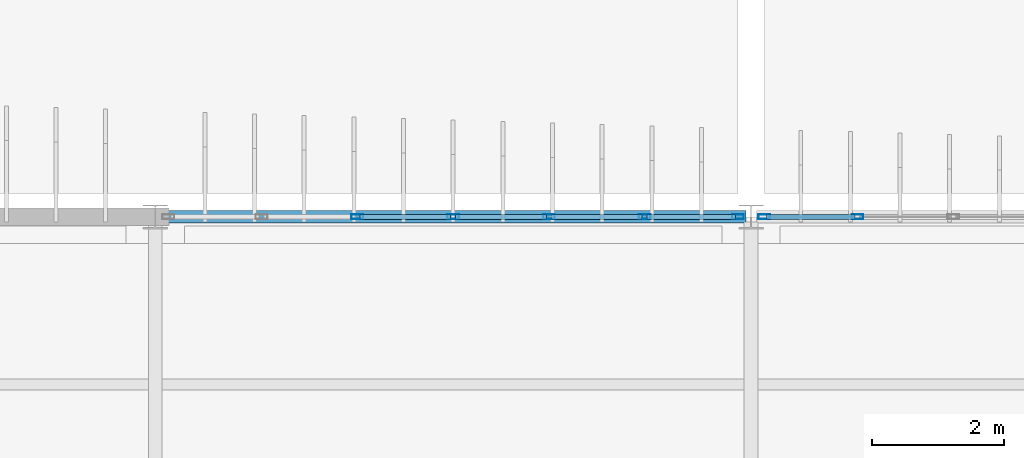
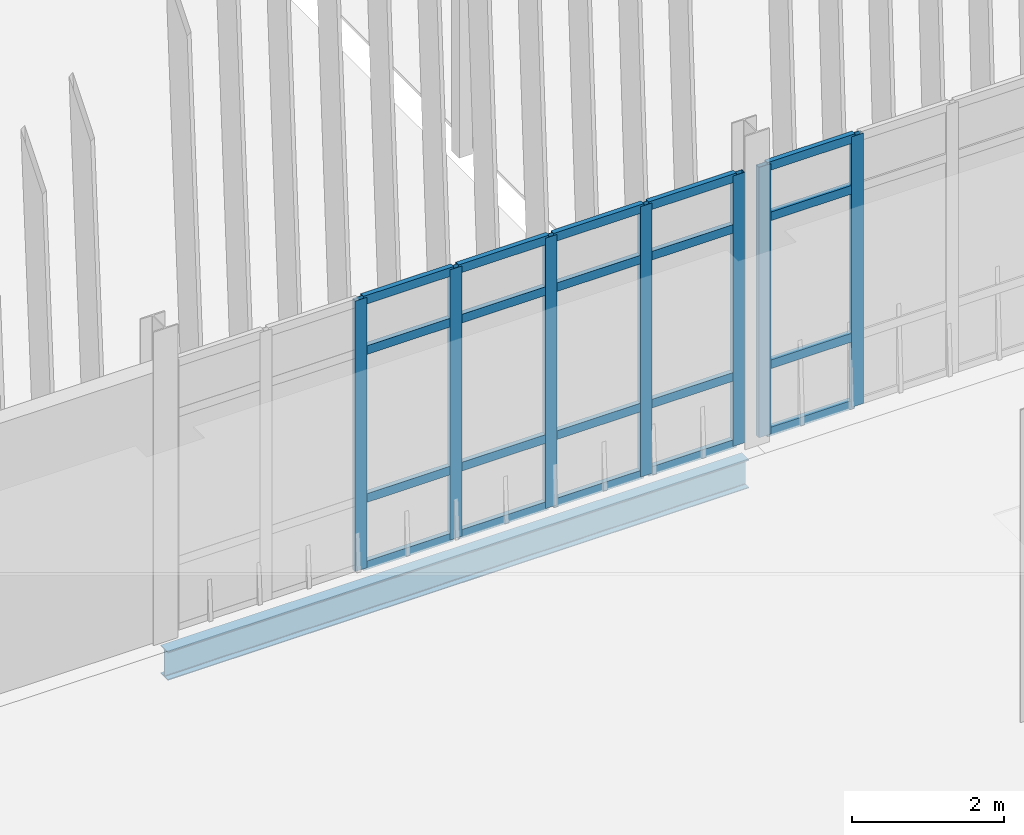
# One storey, part 52 of 161: 27 members, 1 beam, 2 elements without a shape of their own.
"""IFC4 building model written with IfcOpenShell, lengths in metres."""

import ifcopenshell
import ifcopenshell.guid

model = None  # the IFC model being written
_history = None  # IfcOwnerHistory: only IFC2X3 demands one
_inside = {}  # id of a spatial element -> (the spatial element, [elements in it])
_under = {}  # id of a project, library or spatial element -> (it, [spatial elements below it])
_declared = {}  # id of a project -> (the project, [libraries it declares])
_typed = {}  # id of a type object -> (the type object, [elements of that type])
_made_of = {}  # id of a material, layer set ... -> (it, [elements and type objects made of it])


def new_model(schema):
    """Start an empty IFC model of exactly this schema.

    Asked for "IFC4X3", IfcOpenShell would pick the latest addendum, in which some entities
    have other attributes; the version numbers below select the first issue.
    IFC2X3 requires an IfcOwnerHistory on every rooted entity: one is made here for all.
    """
    global model, _history
    if schema == "IFC4X3":
        model = ifcopenshell.file(schema_version=(4, 3, 0, 0))
    else:
        model = ifcopenshell.file(schema=schema)
    _inside.clear()
    _under.clear()
    _declared.clear()
    _typed.clear()
    _made_of.clear()
    _history = None
    if model.schema == "IFC2X3":
        org = make("IfcOrganization", Name="unknown")
        user = make(
            "IfcPersonAndOrganization",
            ThePerson=make("IfcPerson", FamilyName="unknown"),
            TheOrganization=org,
        )
        app = make(
            "IfcApplication",
            ApplicationDeveloper=org,
            Version="unknown",
            ApplicationFullName="unknown",
            ApplicationIdentifier="unknown",
        )
        _history = make(
            "IfcOwnerHistory",
            OwningUser=user,
            OwningApplication=app,
            ChangeAction="ADDED",
            CreationDate=0,
        )
    return model


def make(cls, **values):
    """One entity of the class cls with the attributes given. An attribute that is None is left unset."""
    return model.create_entity(
        cls, **{name: value for name, value in values.items() if value is not None}
    )


def rooted(cls, **values):
    """An entity with a GlobalId (a new one), such as an element, a storey or a relation."""
    return make(cls, GlobalId=ifcopenshell.guid.new(), OwnerHistory=_history, **values)


def si_unit(unit_type, name, prefix=None):
    """IfcSIUnit, for example si_unit("LENGTHUNIT", "METRE", prefix="MILLI")."""
    return make("IfcSIUnit", UnitType=unit_type, Prefix=prefix, Name=name)


def assignment(units):
    """IfcUnitAssignment: the units of a project."""
    return None if units is None else make("IfcUnitAssignment", Units=units)


def point(xyz):
    """IfcCartesianPoint."""
    return None if xyz is None else make("IfcCartesianPoint", Coordinates=xyz)


def direction(xyz):
    """IfcDirection."""
    return None if xyz is None else make("IfcDirection", DirectionRatios=xyz)


def frame(location, z_axis=None, x_axis=None):
    """IfcAxis2Placement3D, a coordinate frame: its origin and axes. An axis left out is left unset."""
    return make(
        "IfcAxis2Placement3D",
        Location=point(location),
        Axis=direction(z_axis),
        RefDirection=direction(x_axis),
    )


def frame_2d(location, x_axis=None):
    """IfcAxis2Placement2D, a coordinate frame in the plane: its origin and x axis."""
    return make(
        "IfcAxis2Placement2D", Location=point(location), RefDirection=direction(x_axis)
    )


def origin():
    """The frame at (0, 0, 0) with its axes left unset."""
    return frame((0.0, 0.0, 0.0))


def origin_2d():
    """The frame at (0, 0) in the plane with its x axis left unset."""
    return frame_2d((0.0, 0.0))


def place(relative_to, where):
    """IfcLocalPlacement: puts the frame where relative to a parent placement (None: the world)."""
    return make(
        "IfcLocalPlacement", PlacementRelTo=relative_to, RelativePlacement=where
    )


def context(
    kind, dimensions, precision=None, world=None, true_north=None, identifier=None
):
    """IfcGeometricRepresentationContext, for example the 3D "Model" context."""
    return make(
        "IfcGeometricRepresentationContext",
        ContextIdentifier=identifier,
        ContextType=kind,
        CoordinateSpaceDimension=dimensions,
        Precision=precision,
        WorldCoordinateSystem=world,
        TrueNorth=true_north,
    )


def subcontext(parent, identifier, kind, view, scale=None):
    """IfcGeometricRepresentationSubContext, for example "Body" below "Model"."""
    return make(
        "IfcGeometricRepresentationSubContext",
        ContextIdentifier=identifier,
        ContextType=kind,
        ParentContext=parent,
        TargetScale=scale,
        TargetView=view,
    )


def project(units=None, contexts=None):
    """IfcProject with its units and contexts."""
    return rooted(
        "IfcProject",
        Name="project",
        RepresentationContexts=contexts,
        UnitsInContext=assignment(units),
    )


def spatial(cls, under=None, at=None, **own):
    """A site, building, storey or space (cls), placed at a placement, below another one or the project."""
    s = rooted(cls, ObjectPlacement=at, **own)
    if under is not None:
        _under.setdefault(under.id(), (under, []))[1].append(s)
    return s


def profile(cls, at=None, kind="AREA", **sizes):
    """A parametric profile (cls). Its sizes go by their IFC names, for example OverallWidth=200.0."""
    return make(cls, ProfileType=kind, Position=at, **sizes)


def hollow_rectangle(**sizes):
    """IfcRectangleHollowProfileDef."""
    return profile("IfcRectangleHollowProfileDef", **sizes)


def i_section(**sizes):
    """IfcIShapeProfileDef."""
    return profile("IfcIShapeProfileDef", **sizes)


def extrude(swept, where, along, depth):
    """IfcExtrudedAreaSolid: the profile swept, set in the frame where, extruded along a direction by depth."""
    return make(
        "IfcExtrudedAreaSolid",
        SweptArea=swept,
        Position=where,
        ExtrudedDirection=direction(along),
        Depth=depth,
    )


def shape(context_of_items, identifier, shape_type, items):
    """IfcShapeRepresentation: the items that make up one representation, for example the "Body"."""
    return make(
        "IfcShapeRepresentation",
        ContextOfItems=context_of_items,
        RepresentationIdentifier=identifier,
        RepresentationType=shape_type,
        Items=items,
    )


def material(Name=None, Category=None):
    """IfcMaterial."""
    return make("IfcMaterial", Name=Name, Category=Category)


def material_profile(
    of_material, cross_section, Name=None, Category=None, Priority=None
):
    """IfcMaterialProfile: a cross section and its material."""
    return make(
        "IfcMaterialProfile",
        Name=Name,
        Material=of_material,
        Profile=cross_section,
        Priority=Priority,
        Category=Category,
    )


def profile_set(profiles, Name=None, composite=None):
    """IfcMaterialProfileSet."""
    return make(
        "IfcMaterialProfileSet",
        Name=Name,
        MaterialProfiles=profiles,
        CompositeProfile=composite,
    )


def made_of(thing, what):
    """Note that an element or type object is made of a material, layer set ...; save() writes the relation."""
    if what is not None:
        _made_of.setdefault(what.id(), (what, []))[1].append(thing)
    return thing


def type_object(cls, material=None, **own):
    """A type object (cls), such as IfcWallType, which elements share."""
    return made_of(rooted(cls, **own), material)


def element(
    cls,
    number,
    at=None,
    inside=None,
    cuts=None,
    type_object=None,
    material=None,
    context=None,
    identifier="Body",
    shape_type=None,
    held_by="IfcProductDefinitionShape",
    body=None,
    shapes=None,
    **own,
):
    """One element of the class cls, such as IfcWall. Its Tag is "e" and its number.

    at: its placement. inside: the storey or other place that contains it. cuts: it is an
    opening in that element (IfcRelVoidsElement). A single representation is given by context,
    identifier, shape_type and body (its items); several are given by shapes. held_by: the class
    of the entity that holds the representations. save() writes the other relations.
    """
    e = rooted(cls, Tag="e%d" % number, ObjectPlacement=at, **own)
    if body is not None:
        shapes = [shape(context, identifier, shape_type, body)]
    if shapes is not None:
        e.Representation = make(held_by, Representations=shapes)
    if inside is not None:
        _inside.setdefault(inside.id(), (inside, []))[1].append(e)
    if cuts is not None:
        rooted(
            "IfcRelVoidsElement", RelatingBuildingElement=cuts, RelatedOpeningElement=e
        )
    if type_object is not None:
        _typed.setdefault(type_object.id(), (type_object, []))[1].append(e)
    return made_of(e, material)


def aggregate(whole, parts):
    """IfcRelAggregates: a whole, such as a stair, and the parts it consists of."""
    return rooted("IfcRelAggregates", RelatingObject=whole, RelatedObjects=parts)


def save(model, path):
    """Write the relations noted so far, then the file.

    IfcRelAggregates (storeys below a building ...), IfcRelContainedInSpatialStructure (elements
    in a storey), IfcRelDefinesByType, IfcRelAssociatesMaterial and IfcRelDeclares: one each for
    every whole, place, type object, material and project.
    """
    for whole, parts in _under.values():
        aggregate(whole, parts)
    for where, things in _inside.values():
        rooted(
            "IfcRelContainedInSpatialStructure",
            RelatedElements=things,
            RelatingStructure=where,
        )
    for kind, things in _typed.values():
        rooted("IfcRelDefinesByType", RelatedObjects=things, RelatingType=kind)
    for what, things in _made_of.values():
        rooted("IfcRelAssociatesMaterial", RelatedObjects=things, RelatingMaterial=what)
    for by, libraries in _declared.values():
        rooted("IfcRelDeclares", RelatingContext=by, RelatedDefinitions=libraries)
    model.write(path)


model = new_model("IFC4")

# Units and contexts
model_context = context("Model", 3, precision=1e-05, world=origin(), true_north=direction((0.0, 1.0)))
body_context = subcontext(model_context, "Body", "Model", "MODEL_VIEW")
ifc_project = project(units=[si_unit("LENGTHUNIT", "METRE"), si_unit("AREAUNIT", "SQUARE_METRE"), si_unit("VOLUMEUNIT", "CUBIC_METRE"), si_unit("PLANEANGLEUNIT", "RADIAN"), si_unit("MASSUNIT", "GRAM", prefix="KILO")], contexts=[model_context])

# Site, building, storey
site_placement = place(None, origin())
site = spatial("IfcSite", under=ifc_project, at=site_placement, CompositionType="ELEMENT")
building_placement = place(site_placement, origin())
building = spatial("IfcBuilding", under=site, at=building_placement, Name="Caisbarro Railhouse Central Library", CompositionType="ELEMENT")
storey_placement = place(building_placement, origin())
storey = spatial("IfcBuildingStorey", under=building, at=storey_placement, Name="L00", CompositionType="ELEMENT", Elevation=0.0)

# Beam
ifc_material_1 = material(Name="Steel ASTM A572 Grade 50", Category="steel")
ifc_material_profile_1 = material_profile(ifc_material_1, i_section(OverallWidth=0.18994140625, OverallDepth=0.45703125, WebThickness=0.009033203125, FlangeThickness=0.014404296875, FilletRadius=0.01806640625, at=origin_2d()), Name="W460X74.0")
ifc_profile_set_1 = profile_set([ifc_material_profile_1], Name="Steel ASTM A572 Grade 50")
beam_type = type_object("IfcBeamType", Name="BM-SP01", PredefinedType="SPANDREL", material=ifc_profile_set_1)
beam_placement = place(storey_placement, frame((45.080078125, 60.800048828125, -0.478515625), z_axis=(1.0, 0.0, 0.0), x_axis=(0.0, 1.0, 0.0)))
element("IfcBeam", 1, at=beam_placement, inside=storey, type_object=beam_type, Name="SP01 beam L00 #280", PredefinedType="SPANDREL", context=body_context, shape_type="SweptSolid", body=[
    extrude(i_section(OverallWidth=0.18994140625, OverallDepth=0.45703125, WebThickness=0.009033203125, FlangeThickness=0.014404296875, FilletRadius=0.01806640625, at=origin_2d()), origin(), (0.0, 0.0, 1.0), 8.83984375),
])

# Curtain wall, members
ifc_material_2 = material(Name="Anodised architectural aluminium", Category="aluminium")
curtain_wall_type = type_object("IfcCurtainWallType", Name="CW-CW01", PredefinedType="NOTDEFINED", material=ifc_material_2)
curtain_wall_1_placement = place(storey_placement, origin())
curtain_wall_1 = element("IfcCurtainWall", 2, at=curtain_wall_1_placement, inside=storey, type_object=curtain_wall_type, Name="CW01 curtain wall L00 #14", PredefinedType="NOTDEFINED")
ifc_material_profile_2 = material_profile(ifc_material_2, hollow_rectangle(XDim=0.074951171875, YDim=0.179931640625, WallThickness=0.00439453125, at=origin_2d()), Name="ALU-MUL-75X180")
ifc_profile_set_2 = profile_set([ifc_material_profile_2], Name="Anodised architectural aluminium")
member_type_1 = type_object("IfcMemberType", Name="CWM-M01", PredefinedType="MULLION", material=ifc_profile_set_2)
member_1_placement = place(storey_placement, frame((48.05322265625, 60.800048828125, 0.0), z_axis=(0.0, 0.0, 1.0), x_axis=(0.0, 1.0, 0.0)))
member_1 = element("IfcMember", 3, at=member_1_placement, type_object=member_type_1, Name="CW01 mullion 3", PredefinedType="MULLION", context=body_context, shape_type="SweptSolid", body=[
    extrude(hollow_rectangle(XDim=0.074951171875, YDim=0.179931640625, WallThickness=0.00439453125, at=origin_2d()), origin(), (0.0, 0.0, 1.0), 4.35009765625),
])
member_2_placement = place(storey_placement, frame((49.5, 60.800048828125, 0.0), z_axis=(0.0, 0.0, 1.0), x_axis=(0.0, 1.0, 0.0)))
member_2 = element("IfcMember", 4, at=member_2_placement, type_object=member_type_1, Name="CW01 mullion 4", PredefinedType="MULLION", context=body_context, shape_type="SweptSolid", body=[
    extrude(hollow_rectangle(XDim=0.074951171875, YDim=0.179931640625, WallThickness=0.00439453125, at=origin_2d()), origin(), (0.0, 0.0, 1.0), 4.35009765625),
])
member_3_placement = place(storey_placement, frame((50.94677734375, 60.800048828125, 0.0), z_axis=(0.0, 0.0, 1.0), x_axis=(0.0, 1.0, 0.0)))
member_3 = element("IfcMember", 5, at=member_3_placement, type_object=member_type_1, Name="CW01 mullion 5", PredefinedType="MULLION", context=body_context, shape_type="SweptSolid", body=[
    extrude(hollow_rectangle(XDim=0.074951171875, YDim=0.179931640625, WallThickness=0.00439453125, at=origin_2d()), origin(), (0.0, 0.0, 1.0), 4.35009765625),
])
member_4_placement = place(storey_placement, frame((52.393310546875, 60.800048828125, 0.0), z_axis=(0.0, 0.0, 1.0), x_axis=(0.0, 1.0, 0.0)))
member_4 = element("IfcMember", 6, at=member_4_placement, type_object=member_type_1, Name="CW01 mullion 6", PredefinedType="MULLION", context=body_context, shape_type="SweptSolid", body=[
    extrude(hollow_rectangle(XDim=0.074951171875, YDim=0.179931640625, WallThickness=0.00439453125, at=origin_2d()), origin(), (0.0, 0.0, 1.0), 4.35009765625),
])
member_5_placement = place(storey_placement, frame((53.802490234375, 60.800048828125, 0.0), z_axis=(0.0, 0.0, 1.0), x_axis=(0.0, 1.0, 0.0)))
member_5 = element("IfcMember", 7, at=member_5_placement, type_object=member_type_1, Name="CW01 mullion 7", PredefinedType="MULLION", context=body_context, shape_type="SweptSolid", body=[
    extrude(hollow_rectangle(XDim=0.074951171875, YDim=0.179931640625, WallThickness=0.00439453125, at=origin_2d()), origin(), (0.0, 0.0, 1.0), 4.35009765625),
])

curtain_wall_2_placement = place(storey_placement, origin())
curtain_wall_2 = element("IfcCurtainWall", 8, at=curtain_wall_2_placement, inside=storey, type_object=curtain_wall_type, Name="CW01 curtain wall L00 #17", PredefinedType="NOTDEFINED")
member_6_placement = place(storey_placement, frame((54.197509765625, 60.800048828125, 0.0), z_axis=(0.0, 0.0, 1.0), x_axis=(0.0, 1.0, 0.0)))
member_6 = element("IfcMember", 9, at=member_6_placement, type_object=member_type_1, Name="CW01 mullion 1", PredefinedType="MULLION", context=body_context, shape_type="SweptSolid", body=[
    extrude(hollow_rectangle(XDim=0.074951171875, YDim=0.179931640625, WallThickness=0.00439453125, at=origin_2d()), origin(), (0.0, 0.0, 1.0), 4.35009765625),
])
member_7_placement = place(storey_placement, frame((55.606689453125, 60.800048828125, 0.0), z_axis=(0.0, 0.0, 1.0), x_axis=(0.0, 1.0, 0.0)))
member_7 = element("IfcMember", 10, at=member_7_placement, type_object=member_type_1, Name="CW01 mullion 2", PredefinedType="MULLION", context=body_context, shape_type="SweptSolid", body=[
    extrude(hollow_rectangle(XDim=0.074951171875, YDim=0.179931640625, WallThickness=0.00439453125, at=origin_2d()), origin(), (0.0, 0.0, 1.0), 4.35009765625),
])

# Member
ifc_material_profile_3 = material_profile(ifc_material_2, hollow_rectangle(XDim=0.074951171875, YDim=0.139892578125, WallThickness=0.00390625, at=origin_2d()), Name="ALU-TRN-75X140")
ifc_profile_set_3 = profile_set([ifc_material_profile_3], Name="Anodised architectural aluminium")
member_type_2 = type_object("IfcMemberType", Name="CWT-T01", PredefinedType="USERDEFINED", material=ifc_profile_set_3)
member_8_placement = place(storey_placement, frame((48.0908203125, 60.800048828125, 0.03759765625), z_axis=(1.0, 0.0, 0.0), x_axis=(0.0, 1.0, 0.0)))
member_8 = element("IfcMember", 11, at=member_8_placement, type_object=member_type_2, Name="CW01 transom 3.1", ObjectType="TRANSOM", PredefinedType="USERDEFINED", context=body_context, shape_type="SweptSolid", body=[
    extrude(hollow_rectangle(XDim=0.074951171875, YDim=0.139892578125, WallThickness=0.00390625, at=origin_2d()), origin(), (0.0, 0.0, 1.0), 1.37158203125),
])

member_9_placement = place(storey_placement, frame((48.0908203125, 60.800048828125, 1.1201171875), z_axis=(1.0, 0.0, 0.0), x_axis=(0.0, 1.0, 0.0)))
member_9 = element("IfcMember", 12, at=member_9_placement, type_object=member_type_2, Name="CW01 transom 3.2", ObjectType="TRANSOM", PredefinedType="USERDEFINED", context=body_context, shape_type="SweptSolid", body=[
    extrude(hollow_rectangle(XDim=0.074951171875, YDim=0.139892578125, WallThickness=0.00390625, at=origin_2d()), origin(), (0.0, 0.0, 1.0), 1.37158203125),
])

member_10_placement = place(storey_placement, frame((48.0908203125, 60.800048828125, 3.5), z_axis=(1.0, 0.0, 0.0), x_axis=(0.0, 1.0, 0.0)))
member_10 = element("IfcMember", 13, at=member_10_placement, type_object=member_type_2, Name="CW01 transom 3.3", ObjectType="TRANSOM", PredefinedType="USERDEFINED", context=body_context, shape_type="SweptSolid", body=[
    extrude(hollow_rectangle(XDim=0.074951171875, YDim=0.139892578125, WallThickness=0.00390625, at=origin_2d()), origin(), (0.0, 0.0, 1.0), 1.37158203125),
])

member_11_placement = place(storey_placement, frame((48.0908203125, 60.800048828125, 4.3125), z_axis=(1.0, 0.0, 0.0), x_axis=(0.0, 1.0, 0.0)))
member_11 = element("IfcMember", 14, at=member_11_placement, type_object=member_type_2, Name="CW01 transom 3.4", ObjectType="TRANSOM", PredefinedType="USERDEFINED", context=body_context, shape_type="SweptSolid", body=[
    extrude(hollow_rectangle(XDim=0.074951171875, YDim=0.139892578125, WallThickness=0.00390625, at=origin_2d()), origin(), (0.0, 0.0, 1.0), 1.37158203125),
])

member_12_placement = place(storey_placement, frame((49.53759765625, 60.800048828125, 0.03759765625), z_axis=(1.0, 0.0, 0.0), x_axis=(0.0, 1.0, 0.0)))
member_12 = element("IfcMember", 15, at=member_12_placement, type_object=member_type_2, Name="CW01 transom 4.1", ObjectType="TRANSOM", PredefinedType="USERDEFINED", context=body_context, shape_type="SweptSolid", body=[
    extrude(hollow_rectangle(XDim=0.074951171875, YDim=0.139892578125, WallThickness=0.00390625, at=origin_2d()), origin(), (0.0, 0.0, 1.0), 1.37158203125),
])

member_13_placement = place(storey_placement, frame((49.53759765625, 60.800048828125, 1.1201171875), z_axis=(1.0, 0.0, 0.0), x_axis=(0.0, 1.0, 0.0)))
member_13 = element("IfcMember", 16, at=member_13_placement, type_object=member_type_2, Name="CW01 transom 4.2", ObjectType="TRANSOM", PredefinedType="USERDEFINED", context=body_context, shape_type="SweptSolid", body=[
    extrude(hollow_rectangle(XDim=0.074951171875, YDim=0.139892578125, WallThickness=0.00390625, at=origin_2d()), origin(), (0.0, 0.0, 1.0), 1.37158203125),
])

member_14_placement = place(storey_placement, frame((49.53759765625, 60.800048828125, 3.5), z_axis=(1.0, 0.0, 0.0), x_axis=(0.0, 1.0, 0.0)))
member_14 = element("IfcMember", 17, at=member_14_placement, type_object=member_type_2, Name="CW01 transom 4.3", ObjectType="TRANSOM", PredefinedType="USERDEFINED", context=body_context, shape_type="SweptSolid", body=[
    extrude(hollow_rectangle(XDim=0.074951171875, YDim=0.139892578125, WallThickness=0.00390625, at=origin_2d()), origin(), (0.0, 0.0, 1.0), 1.37158203125),
])

member_15_placement = place(storey_placement, frame((49.53759765625, 60.800048828125, 4.3125), z_axis=(1.0, 0.0, 0.0), x_axis=(0.0, 1.0, 0.0)))
member_15 = element("IfcMember", 18, at=member_15_placement, type_object=member_type_2, Name="CW01 transom 4.4", ObjectType="TRANSOM", PredefinedType="USERDEFINED", context=body_context, shape_type="SweptSolid", body=[
    extrude(hollow_rectangle(XDim=0.074951171875, YDim=0.139892578125, WallThickness=0.00390625, at=origin_2d()), origin(), (0.0, 0.0, 1.0), 1.37158203125),
])

member_16_placement = place(storey_placement, frame((50.984130859375, 60.800048828125, 0.03759765625), z_axis=(1.0, 0.0, 0.0), x_axis=(0.0, 1.0, 0.0)))
member_16 = element("IfcMember", 19, at=member_16_placement, type_object=member_type_2, Name="CW01 transom 5.1", ObjectType="TRANSOM", PredefinedType="USERDEFINED", context=body_context, shape_type="SweptSolid", body=[
    extrude(hollow_rectangle(XDim=0.074951171875, YDim=0.139892578125, WallThickness=0.00390625, at=origin_2d()), origin(), (0.0, 0.0, 1.0), 1.37158203125),
])

member_17_placement = place(storey_placement, frame((50.984130859375, 60.800048828125, 1.1201171875), z_axis=(1.0, 0.0, 0.0), x_axis=(0.0, 1.0, 0.0)))
member_17 = element("IfcMember", 20, at=member_17_placement, type_object=member_type_2, Name="CW01 transom 5.2", ObjectType="TRANSOM", PredefinedType="USERDEFINED", context=body_context, shape_type="SweptSolid", body=[
    extrude(hollow_rectangle(XDim=0.074951171875, YDim=0.139892578125, WallThickness=0.00390625, at=origin_2d()), origin(), (0.0, 0.0, 1.0), 1.37158203125),
])

member_18_placement = place(storey_placement, frame((50.984130859375, 60.800048828125, 3.5), z_axis=(1.0, 0.0, 0.0), x_axis=(0.0, 1.0, 0.0)))
member_18 = element("IfcMember", 21, at=member_18_placement, type_object=member_type_2, Name="CW01 transom 5.3", ObjectType="TRANSOM", PredefinedType="USERDEFINED", context=body_context, shape_type="SweptSolid", body=[
    extrude(hollow_rectangle(XDim=0.074951171875, YDim=0.139892578125, WallThickness=0.00390625, at=origin_2d()), origin(), (0.0, 0.0, 1.0), 1.37158203125),
])

member_19_placement = place(storey_placement, frame((50.984130859375, 60.800048828125, 4.3125), z_axis=(1.0, 0.0, 0.0), x_axis=(0.0, 1.0, 0.0)))
member_19 = element("IfcMember", 22, at=member_19_placement, type_object=member_type_2, Name="CW01 transom 5.4", ObjectType="TRANSOM", PredefinedType="USERDEFINED", context=body_context, shape_type="SweptSolid", body=[
    extrude(hollow_rectangle(XDim=0.074951171875, YDim=0.139892578125, WallThickness=0.00390625, at=origin_2d()), origin(), (0.0, 0.0, 1.0), 1.37158203125),
])

member_20_placement = place(storey_placement, frame((52.430908203125, 60.800048828125, 0.03759765625), z_axis=(1.0, 0.0, 0.0), x_axis=(0.0, 1.0, 0.0)))
member_20 = element("IfcMember", 23, at=member_20_placement, type_object=member_type_2, Name="CW01 transom 6.1", ObjectType="TRANSOM", PredefinedType="USERDEFINED", context=body_context, shape_type="SweptSolid", body=[
    extrude(hollow_rectangle(XDim=0.074951171875, YDim=0.139892578125, WallThickness=0.00390625, at=origin_2d()), origin(), (0.0, 0.0, 1.0), 1.333984375),
])

member_21_placement = place(storey_placement, frame((52.430908203125, 60.800048828125, 1.1201171875), z_axis=(1.0, 0.0, 0.0), x_axis=(0.0, 1.0, 0.0)))
member_21 = element("IfcMember", 24, at=member_21_placement, type_object=member_type_2, Name="CW01 transom 6.2", ObjectType="TRANSOM", PredefinedType="USERDEFINED", context=body_context, shape_type="SweptSolid", body=[
    extrude(hollow_rectangle(XDim=0.074951171875, YDim=0.139892578125, WallThickness=0.00390625, at=origin_2d()), origin(), (0.0, 0.0, 1.0), 1.333984375),
])

member_22_placement = place(storey_placement, frame((52.430908203125, 60.800048828125, 3.5), z_axis=(1.0, 0.0, 0.0), x_axis=(0.0, 1.0, 0.0)))
member_22 = element("IfcMember", 25, at=member_22_placement, type_object=member_type_2, Name="CW01 transom 6.3", ObjectType="TRANSOM", PredefinedType="USERDEFINED", context=body_context, shape_type="SweptSolid", body=[
    extrude(hollow_rectangle(XDim=0.074951171875, YDim=0.139892578125, WallThickness=0.00390625, at=origin_2d()), origin(), (0.0, 0.0, 1.0), 1.333984375),
])

member_23_placement = place(storey_placement, frame((52.430908203125, 60.800048828125, 4.3125), z_axis=(1.0, 0.0, 0.0), x_axis=(0.0, 1.0, 0.0)))
member_23 = element("IfcMember", 26, at=member_23_placement, type_object=member_type_2, Name="CW01 transom 6.4", ObjectType="TRANSOM", PredefinedType="USERDEFINED", context=body_context, shape_type="SweptSolid", body=[
    extrude(hollow_rectangle(XDim=0.074951171875, YDim=0.139892578125, WallThickness=0.00390625, at=origin_2d()), origin(), (0.0, 0.0, 1.0), 1.333984375),
])

aggregate(curtain_wall_1, [member_1, member_2, member_3, member_4, member_5, member_8, member_9, member_10, member_11, member_12, member_13, member_14, member_15, member_16, member_17, member_18, member_19, member_20, member_21, member_22, member_23])

member_24_placement = place(storey_placement, frame((54.235107421875, 60.800048828125, 0.03759765625), z_axis=(1.0, 0.0, 0.0), x_axis=(0.0, 1.0, 0.0)))
member_24 = element("IfcMember", 27, at=member_24_placement, type_object=member_type_2, Name="CW01 transom 1.1", ObjectType="TRANSOM", PredefinedType="USERDEFINED", context=body_context, shape_type="SweptSolid", body=[
    extrude(hollow_rectangle(XDim=0.074951171875, YDim=0.139892578125, WallThickness=0.00390625, at=origin_2d()), origin(), (0.0, 0.0, 1.0), 1.333984375),
])

member_25_placement = place(storey_placement, frame((54.235107421875, 60.800048828125, 1.1201171875), z_axis=(1.0, 0.0, 0.0), x_axis=(0.0, 1.0, 0.0)))
member_25 = element("IfcMember", 28, at=member_25_placement, type_object=member_type_2, Name="CW01 transom 1.2", ObjectType="TRANSOM", PredefinedType="USERDEFINED", context=body_context, shape_type="SweptSolid", body=[
    extrude(hollow_rectangle(XDim=0.074951171875, YDim=0.139892578125, WallThickness=0.00390625, at=origin_2d()), origin(), (0.0, 0.0, 1.0), 1.333984375),
])

member_26_placement = place(storey_placement, frame((54.235107421875, 60.800048828125, 3.5), z_axis=(1.0, 0.0, 0.0), x_axis=(0.0, 1.0, 0.0)))
member_26 = element("IfcMember", 29, at=member_26_placement, type_object=member_type_2, Name="CW01 transom 1.3", ObjectType="TRANSOM", PredefinedType="USERDEFINED", context=body_context, shape_type="SweptSolid", body=[
    extrude(hollow_rectangle(XDim=0.074951171875, YDim=0.139892578125, WallThickness=0.00390625, at=origin_2d()), origin(), (0.0, 0.0, 1.0), 1.333984375),
])

member_27_placement = place(storey_placement, frame((54.235107421875, 60.800048828125, 4.3125), z_axis=(1.0, 0.0, 0.0), x_axis=(0.0, 1.0, 0.0)))
member_27 = element("IfcMember", 30, at=member_27_placement, type_object=member_type_2, Name="CW01 transom 1.4", ObjectType="TRANSOM", PredefinedType="USERDEFINED", context=body_context, shape_type="SweptSolid", body=[
    extrude(hollow_rectangle(XDim=0.074951171875, YDim=0.139892578125, WallThickness=0.00390625, at=origin_2d()), origin(), (0.0, 0.0, 1.0), 1.333984375),
])

aggregate(curtain_wall_2, [member_6, member_7, member_24, member_25, member_26, member_27])

save(model, "model.ifc")
